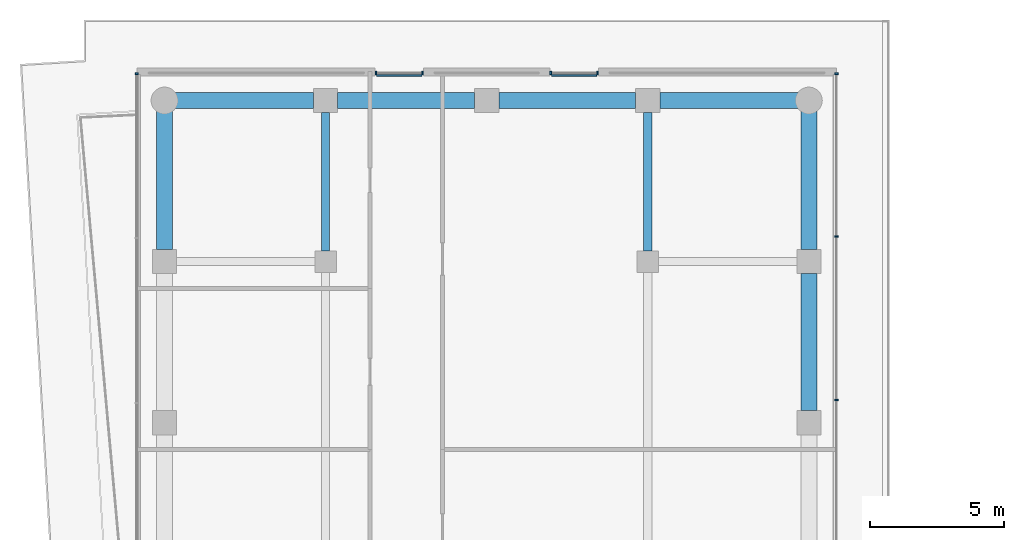
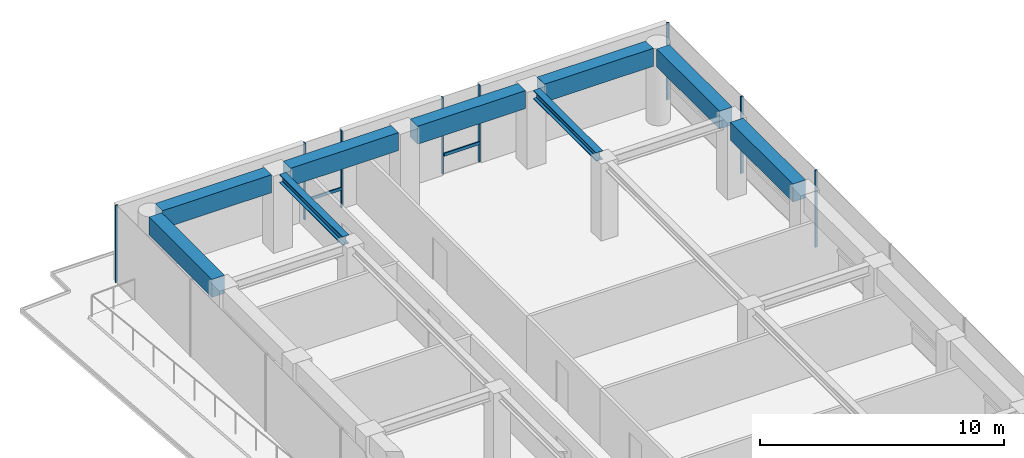
# One storey, part 16 of 23: 10 members, 9 beams, 4 elements without a shape of their own.
"""IFC4 building model written with IfcOpenShell, lengths in metres."""

from ifc_helpers import new_model, si_unit, direction, frame, origin, origin_2d, place, context, subcontext, project, spatial, rectangle, i_section, extrude, material, layer, layer_set, material_profile, profile_set, type_object, element, aggregate, save


model = new_model("IFC4")

# Units and contexts
model_context = context("Model", 3, precision=1e-05, world=origin(), true_north=direction((0.0, 1.0)))
body_context = subcontext(model_context, "Body", "Model", "MODEL_VIEW")
ifc_project = project(units=[si_unit("LENGTHUNIT", "METRE"), si_unit("AREAUNIT", "SQUARE_METRE"), si_unit("VOLUMEUNIT", "CUBIC_METRE"), si_unit("PLANEANGLEUNIT", "RADIAN"), si_unit("MASSUNIT", "GRAM", prefix="KILO")], contexts=[model_context])

# Site, building, storey
site_placement = place(None, origin())
site = spatial("IfcSite", under=ifc_project, at=site_placement, CompositionType="ELEMENT")
building_placement = place(site_placement, origin())
building = spatial("IfcBuilding", under=site, at=building_placement, Name="Welwitschia Terrace Campus", CompositionType="ELEMENT")
storey_placement = place(building_placement, frame((0.0, 0.0, 96.199951171875)))
storey = spatial("IfcBuildingStorey", under=building, at=storey_placement, Name="L21", CompositionType="ELEMENT", Elevation=96.199951171875)

# Beams
ifc_material_1 = material(Name="Steel S355", Category="steel")
ifc_material_profile_1 = material_profile(ifc_material_1, i_section(OverallWidth=0.306884765625, OverallDepth=0.431884765625, WebThickness=0.02099609375, FlangeThickness=0.0400390625, FilletRadius=0.027099609375, at=origin_2d()))
ifc_profile_set_1 = profile_set([ifc_material_profile_1], Name="Steel S355")
beam_type_1 = type_object("IfcBeamType", Name="Interior girder HE 400 M", PredefinedType="BEAM", material=ifc_profile_set_1)
for number, where, z_axis, x_axis, name in (
    (1, (6.0, 64.400390625, 3.634033203125), (0.0, 1.0, 0.0), (-1.0, 0.0, 0.0), "Girder GB3"),
    (2, (18.0, 64.400390625, 3.634033203125), (0.0, 1.0, 0.0), (-1.0, 0.0, 0.0), "Girder GB3"),
):
    element("IfcBeam", number, at=place(storey_placement, frame(where, z_axis=z_axis, x_axis=x_axis)), inside=storey, type_object=beam_type_1, Name=name, PredefinedType="BEAM", context=body_context, shape_type="SweptSolid", body=[
        extrude(i_section(OverallWidth=0.306884765625, OverallDepth=0.431884765625, WebThickness=0.02099609375, FlangeThickness=0.0400390625, FilletRadius=0.027099609375, at=origin_2d()), origin(), (0.0, 0.0, 1.0), 5.1591796875),
    ])

# Curtain wall, members
ifc_material_2 = material(Name="Bronze anodised aluminium", Category="aluminium")
ifc_layer = layer(ifc_material_2, 0.1201171875)
ifc_layer_set = layer_set([ifc_layer], Name="Bronze anodised aluminium")
curtain_wall_type = type_object("IfcCurtainWallType", Name="Curtain wall CW2 tower 6000", PredefinedType="NOTDEFINED", material=ifc_layer_set)
curtain_wall_1_placement = place(storey_placement, origin())
curtain_wall_1 = element("IfcCurtainWall", 3, at=curtain_wall_1_placement, inside=storey, type_object=curtain_wall_type, Name="CW L21.8.0", PredefinedType="NOTDEFINED")
ifc_material_3 = material(Name="Bronze anodised aluminium", Category="aluminium")
ifc_material_profile_2 = material_profile(ifc_material_3, rectangle(XDim=0.1201171875, YDim=0.06005859375, at=origin_2d()))
ifc_profile_set_2 = profile_set([ifc_material_profile_2], Name="Bronze anodised aluminium")
member_type_1 = type_object("IfcMemberType", Name="Mullion 60x120", PredefinedType="MULLION", material=ifc_profile_set_2)
member_1_placement = place(storey_placement, frame((25.030029296875, 58.852294921875, 0.0), z_axis=(0.0, 0.0, 1.0), x_axis=(-1.0, 0.0, 0.0)))
member_1 = element("IfcMember", 4, at=member_1_placement, type_object=member_type_1, Name="Mullion L21.8.0.4", PredefinedType="MULLION", context=body_context, shape_type="SweptSolid", body=[
    extrude(rectangle(XDim=0.1201171875, YDim=0.06005859375, at=origin_2d()), origin(), (0.0, 0.0, 1.0), 3.85009765625),
])
member_2_placement = place(storey_placement, frame((25.030029296875, 64.941162109375, 0.0), z_axis=(0.0, 0.0, 1.0), x_axis=(-1.0, 0.0, 0.0)))
member_2 = element("IfcMember", 5, at=member_2_placement, type_object=member_type_1, Name="Mullion L21.8.0.5", PredefinedType="MULLION", context=body_context, shape_type="SweptSolid", body=[
    extrude(rectangle(XDim=0.1201171875, YDim=0.06005859375, at=origin_2d()), origin(), (0.0, 0.0, 1.0), 3.85009765625),
])
member_3_placement = place(storey_placement, frame((25.030029296875, 71.0, 0.0), z_axis=(0.0, 0.0, 1.0), x_axis=(-1.0, 0.0, 0.0)))
member_3 = element("IfcMember", 6, at=member_3_placement, type_object=member_type_1, Name="Mullion L21.8.0.6", PredefinedType="MULLION", context=body_context, shape_type="SweptSolid", body=[
    extrude(rectangle(XDim=0.1201171875, YDim=0.06005859375, at=origin_2d()), origin(), (0.0, 0.0, 1.0), 3.85009765625),
])
aggregate(curtain_wall_1, [member_1, member_2, member_3])

curtain_wall_2_placement = place(storey_placement, origin())
curtain_wall_2 = element("IfcCurtainWall", 7, at=curtain_wall_2_placement, inside=storey, type_object=curtain_wall_type, Name="CW L21.9.S0", PredefinedType="NOTDEFINED")
member_4_placement = place(storey_placement, frame((16.12744140625, 71.030029296875, 0.0), z_axis=(0.0, 0.0, 1.0), x_axis=(0.0, -1.0, 0.0)))
member_4 = element("IfcMember", 8, at=member_4_placement, type_object=member_type_1, Name="Mullion L21.9.S0.0", PredefinedType="MULLION", context=body_context, shape_type="SweptSolid", body=[
    extrude(rectangle(XDim=0.1201171875, YDim=0.06005859375, at=origin_2d()), origin(), (0.0, 0.0, 1.0), 3.85009765625),
])
member_5_placement = place(storey_placement, frame((14.387451171875, 71.030029296875, 0.0), z_axis=(0.0, 0.0, 1.0), x_axis=(0.0, -1.0, 0.0)))
member_5 = element("IfcMember", 9, at=member_5_placement, type_object=member_type_1, Name="Mullion L21.9.S0.1", PredefinedType="MULLION", context=body_context, shape_type="SweptSolid", body=[
    extrude(rectangle(XDim=0.1201171875, YDim=0.06005859375, at=origin_2d()), origin(), (0.0, 0.0, 1.0), 3.85009765625),
])

curtain_wall_3_placement = place(storey_placement, origin())
curtain_wall_3 = element("IfcCurtainWall", 10, at=curtain_wall_3_placement, inside=storey, type_object=curtain_wall_type, Name="CW L21.9.S1", PredefinedType="NOTDEFINED")
member_6_placement = place(storey_placement, frame((9.612548828125, 71.030029296875, 0.0), z_axis=(0.0, 0.0, 1.0), x_axis=(0.0, -1.0, 0.0)))
member_6 = element("IfcMember", 11, at=member_6_placement, type_object=member_type_1, Name="Mullion L21.9.S1.0", PredefinedType="MULLION", context=body_context, shape_type="SweptSolid", body=[
    extrude(rectangle(XDim=0.1201171875, YDim=0.06005859375, at=origin_2d()), origin(), (0.0, 0.0, 1.0), 3.85009765625),
])
member_7_placement = place(storey_placement, frame((7.87255859375, 71.030029296875, 0.0), z_axis=(0.0, 0.0, 1.0), x_axis=(0.0, -1.0, 0.0)))
member_7 = element("IfcMember", 12, at=member_7_placement, type_object=member_type_1, Name="Mullion L21.9.S1.1", PredefinedType="MULLION", context=body_context, shape_type="SweptSolid", body=[
    extrude(rectangle(XDim=0.1201171875, YDim=0.06005859375, at=origin_2d()), origin(), (0.0, 0.0, 1.0), 3.85009765625),
])

# Curtain wall, member
curtain_wall_4_placement = place(storey_placement, origin())
curtain_wall_4 = element("IfcCurtainWall", 13, at=curtain_wall_4_placement, inside=storey, type_object=curtain_wall_type, Name="CW L21.10.0", PredefinedType="NOTDEFINED")
member_8_placement = place(storey_placement, frame((-1.030029296875, 71.0, 0.0), z_axis=(0.0, 0.0, 1.0), x_axis=(1.0, 0.0, 0.0)))
member_8 = element("IfcMember", 14, at=member_8_placement, type_object=member_type_1, Name="Mullion L21.10.0.0", PredefinedType="MULLION", context=body_context, shape_type="SweptSolid", body=[
    extrude(rectangle(XDim=0.1201171875, YDim=0.06005859375, at=origin_2d()), origin(), (0.0, 0.0, 1.0), 3.85009765625),
])
aggregate(curtain_wall_4, [member_8])

# Beams
ifc_material_4 = material(Name="Concrete C60/75", Category="concrete")
ifc_material_profile_3 = material_profile(ifc_material_4, rectangle(XDim=0.60009765625, YDim=0.89990234375, at=origin_2d()))
ifc_profile_set_3 = profile_set([ifc_material_profile_3], Name="Concrete C60/75")
beam_type_2 = type_object("IfcBeamType", Name="Ring spandrel 600x900", PredefinedType="SPANDREL", material=ifc_profile_set_3)
beam_placement = place(storey_placement, frame((24.0, 58.450439453125, 3.400146484375), z_axis=(0.0, 1.0, 0.0), x_axis=(-1.0, 0.0, 0.0)))
element("IfcBeam", 15, at=beam_placement, inside=storey, type_object=beam_type_2, Name="Spandrel SP2", PredefinedType="SPANDREL", context=body_context, shape_type="SweptSolid", body=[
    extrude(rectangle(XDim=0.60009765625, YDim=0.89990234375, at=origin_2d()), origin(), (0.0, 0.0, 1.0), 5.09912109375),
])
for number, where, z_axis, x_axis, name in (
    (16, (24.0, 64.450439453125, 3.400146484375), (0.0, 1.0, 0.0), (-1.0, 0.0, 0.0), "Spandrel SP2"),
    (17, (23.599609375, 70.0, 3.400146484375), (-1.0, 0.0, 0.0), (0.0, -1.0, 0.0), "Spandrel SP2"),
):
    element("IfcBeam", number, at=place(storey_placement, frame(where, z_axis=z_axis, x_axis=x_axis)), inside=storey, type_object=beam_type_2, Name=name, PredefinedType="SPANDREL", context=body_context, shape_type="SweptSolid", body=[
        extrude(rectangle(XDim=0.60009765625, YDim=0.89990234375, at=origin_2d()), origin(), (0.0, 0.0, 1.0), 5.149169921875),
    ])
for number, where, z_axis, x_axis, name in (
    (18, (17.549560546875, 70.0, 3.400146484375), (-1.0, 0.0, 0.0), (0.0, -1.0, 0.0), "Spandrel SP2"),
    (19, (11.549560546875, 70.0, 3.400146484375), (-1.0, 0.0, 0.0), (0.0, -1.0, 0.0), "Spandrel SP2"),
):
    element("IfcBeam", number, at=place(storey_placement, frame(where, z_axis=z_axis, x_axis=x_axis)), inside=storey, type_object=beam_type_2, Name=name, PredefinedType="SPANDREL", context=body_context, shape_type="SweptSolid", body=[
        extrude(rectangle(XDim=0.60009765625, YDim=0.89990234375, at=origin_2d()), origin(), (0.0, 0.0, 1.0), 5.09912109375),
    ])
for number, where, z_axis, x_axis, name in (
    (20, (5.549560546875, 70.0, 3.400146484375), (-1.0, 0.0, 0.0), (0.0, -1.0, 0.0), "Spandrel SP2"),
    (21, (0.0, 69.599609375, 3.400146484375), (0.0, -1.0, 0.0), (1.0, 0.0, 0.0), "Spandrel SP2"),
):
    element("IfcBeam", number, at=place(storey_placement, frame(where, z_axis=z_axis, x_axis=x_axis)), inside=storey, type_object=beam_type_2, Name=name, PredefinedType="SPANDREL", context=body_context, shape_type="SweptSolid", body=[
        extrude(rectangle(XDim=0.60009765625, YDim=0.89990234375, at=origin_2d()), origin(), (0.0, 0.0, 1.0), 5.149169921875),
    ])

# Member
ifc_material_5 = material(Name="Bronze anodised aluminium", Category="aluminium")
ifc_material_profile_4 = material_profile(ifc_material_5, rectangle(XDim=0.06005859375, YDim=0.14990234375, at=origin_2d()))
ifc_profile_set_4 = profile_set([ifc_material_profile_4], Name="Bronze anodised aluminium")
member_type_2 = type_object("IfcMemberType", Name="Transom 60x150", PredefinedType="USERDEFINED", material=ifc_profile_set_4)
member_9_placement = place(storey_placement, frame((16.097412109375, 70.93994140625, 1.0), z_axis=(-1.0, 0.0, 0.0), x_axis=(0.0, -1.0, 0.0)))
member_9 = element("IfcMember", 22, at=member_9_placement, type_object=member_type_2, Name="Transom L21.9.S0", ObjectType="TRANSOM", PredefinedType="USERDEFINED", context=body_context, shape_type="SweptSolid", body=[
    extrude(rectangle(XDim=0.06005859375, YDim=0.14990234375, at=origin_2d()), origin(), (0.0, 0.0, 1.0), 1.679931640625),
])

aggregate(curtain_wall_2, [member_4, member_5, member_9])

member_10_placement = place(storey_placement, frame((9.58251953125, 70.93994140625, 1.0), z_axis=(-1.0, 0.0, 0.0), x_axis=(0.0, -1.0, 0.0)))
member_10 = element("IfcMember", 23, at=member_10_placement, type_object=member_type_2, Name="Transom L21.9.S1", ObjectType="TRANSOM", PredefinedType="USERDEFINED", context=body_context, shape_type="SweptSolid", body=[
    extrude(rectangle(XDim=0.06005859375, YDim=0.14990234375, at=origin_2d()), origin(), (0.0, 0.0, 1.0), 1.679931640625),
])

aggregate(curtain_wall_3, [member_6, member_7, member_10])

save(model, "model.ifc")
